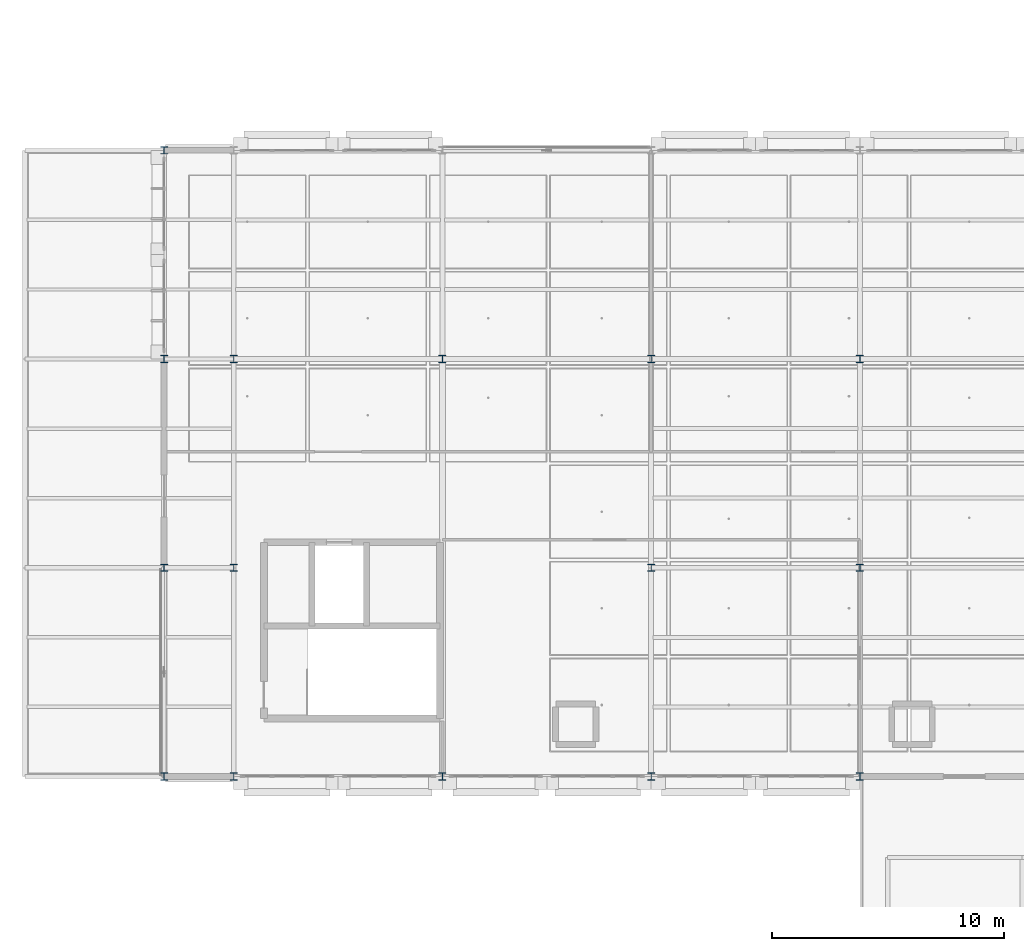
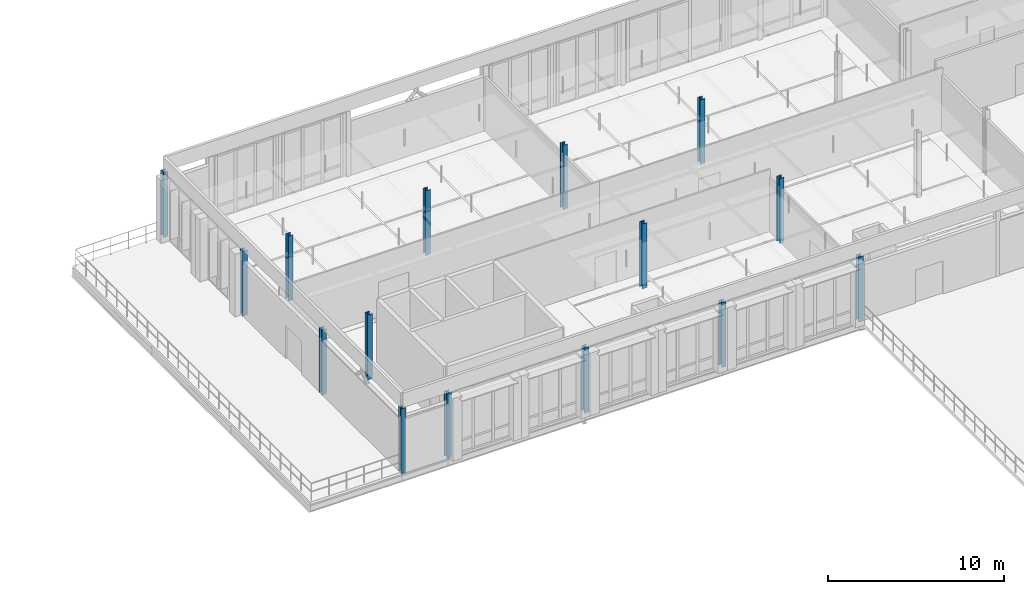
# One storey, part 10 of 89: 15 columns.
"""IFC4 building model written with IfcOpenShell, lengths in metres."""

from ifc_helpers import new_model, si_unit, direction, frame, origin, origin_2d, place, context, subcontext, project, spatial, i_section, extrude, material, material_profile, profile_set, type_object, element, save


model = new_model("IFC4")

# Units and contexts
model_context = context("Model", 3, precision=1e-05, world=origin(), true_north=direction((0.0, 1.0)))
body_context = subcontext(model_context, "Body", "Model", "MODEL_VIEW")
ifc_project = project(units=[si_unit("LENGTHUNIT", "METRE"), si_unit("AREAUNIT", "SQUARE_METRE"), si_unit("VOLUMEUNIT", "CUBIC_METRE"), si_unit("PLANEANGLEUNIT", "RADIAN"), si_unit("MASSUNIT", "GRAM", prefix="KILO"), si_unit("THERMODYNAMICTEMPERATUREUNIT", "KELVIN"), si_unit("POWERUNIT", "WATT")], contexts=[model_context])

# Site, building, storey
site_placement = place(None, origin())
site = spatial("IfcSite", under=ifc_project, at=site_placement, CompositionType="ELEMENT")
building_placement = place(site_placement, origin())
building = spatial("IfcBuilding", under=site, at=building_placement, Name="Tallowbark Science Centre", CompositionType="ELEMENT")
storey_placement = place(building_placement, frame((0.0, 0.0, 14.39990234375)))
storey = spatial("IfcBuildingStorey", under=building, at=storey_placement, Name="L03", CompositionType="ELEMENT", Elevation=14.39990234375)

# Columns
ifc_material = material(Name="Structural Steel Grade 300PLUS (300 MPa)", Category="steel")
ifc_material_profile = material_profile(ifc_material, i_section(OverallWidth=0.307373046875, OverallDepth=0.314697265625, WebThickness=0.011962890625, FlangeThickness=0.018798828125, FilletRadius=0.0166015625, at=origin_2d()), Name="310UC118")
ifc_profile_set = profile_set([ifc_material_profile], Name="Structural Steel Grade 300PLUS (300 MPa)")
column_type = type_object("IfcColumnType", Name="COL-UC310C", PredefinedType="COLUMN", material=ifc_profile_set)
for number, where, z_axis, x_axis, name in (
    (1, (69.0, 72.0, 0.0), (0.0, 0.0, 1.0), (1.0, 0.0, 0.0), "Column LAB-2_0 L03"),
    (2, (69.0, 81.0, 0.0), (0.0, 0.0, 1.0), (1.0, 0.0, 0.0), "Column LAB-2_1 L03"),
    (3, (69.0, 90.0, 0.0), (0.0, 0.0, 1.0), (1.0, 0.0, 0.0), "Column LAB-2_2 L03"),
    (4, (69.0, 99.0, 0.0), (0.0, 0.0, 1.0), (1.0, 0.0, 0.0), "Column LAB-2_3 L03"),
    (5, (72.0, 72.0, 0.0), (0.0, 0.0, 1.0), (1.0, 0.0, 0.0), "Column LAB-3_0 L03"),
    (6, (72.0, 81.0, 0.0), (0.0, 0.0, 1.0), (1.0, 0.0, 0.0), "Column LAB-3_1 L03"),
    (7, (72.0, 90.0, 0.0), (0.0, 0.0, 1.0), (1.0, 0.0, 0.0), "Column LAB-3_2 L03"),
    (8, (81.0, 72.0, 0.0), (0.0, 0.0, 1.0), (1.0, 0.0, 0.0), "Column LAB-4_0 L03"),
    (9, (81.0, 90.0, 0.0), (0.0, 0.0, 1.0), (1.0, 0.0, 0.0), "Column LAB-4_2 L03"),
    (10, (90.0, 72.0, 0.0), (0.0, 0.0, 1.0), (1.0, 0.0, 0.0), "Column LAB-5_0 L03"),
    (11, (90.0, 81.0, 0.0), (0.0, 0.0, 1.0), (1.0, 0.0, 0.0), "Column LAB-5_1 L03"),
    (12, (90.0, 90.0, 0.0), (0.0, 0.0, 1.0), (1.0, 0.0, 0.0), "Column LAB-5_2 L03"),
    (13, (99.0, 72.0, 0.0), (0.0, 0.0, 1.0), (1.0, 0.0, 0.0), "Column LAB-6_0 L03"),
    (14, (99.0, 81.0, 0.0), (0.0, 0.0, 1.0), (1.0, 0.0, 0.0), "Column LAB-6_1 L03"),
    (15, (99.0, 90.0, 0.0), (0.0, 0.0, 1.0), (1.0, 0.0, 0.0), "Column LAB-6_2 L03"),
):
    element("IfcColumn", number, at=place(storey_placement, frame(where, z_axis=z_axis, x_axis=x_axis)), inside=storey, type_object=column_type, Name=name, PredefinedType="COLUMN", context=body_context, shape_type="SweptSolid", body=[
        extrude(i_section(OverallWidth=0.307373046875, OverallDepth=0.314697265625, WebThickness=0.011962890625, FlangeThickness=0.018798828125, FilletRadius=0.0166015625, at=origin_2d()), origin(), (0.0, 0.0, 1.0), 4.5),
    ])

save(model, "model.ifc")
